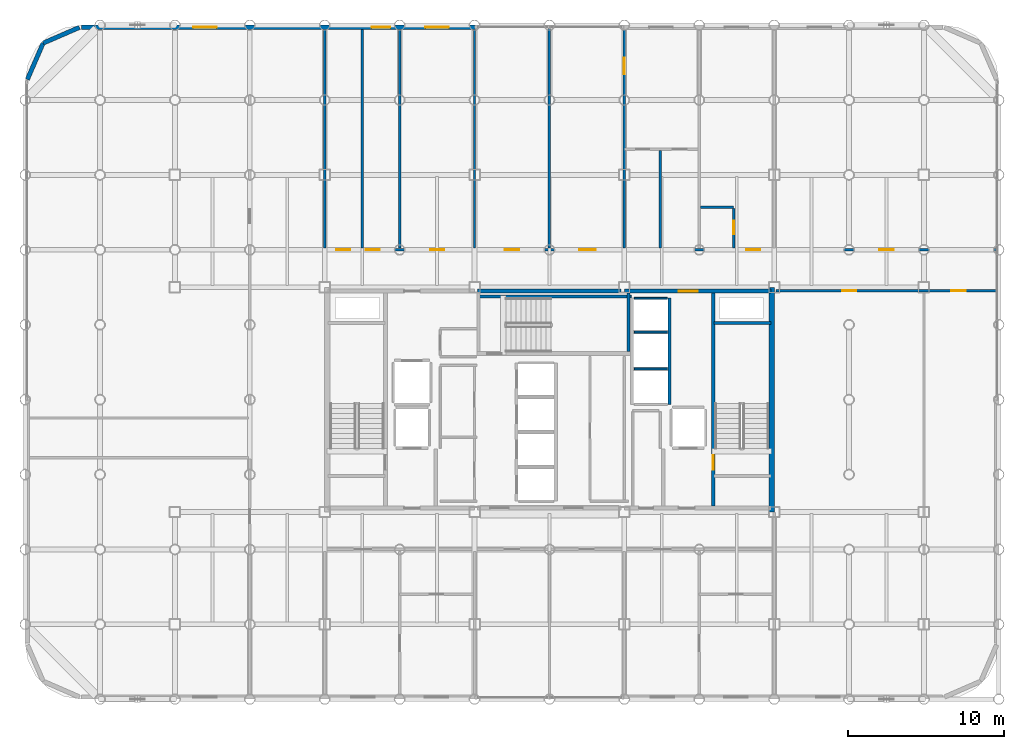
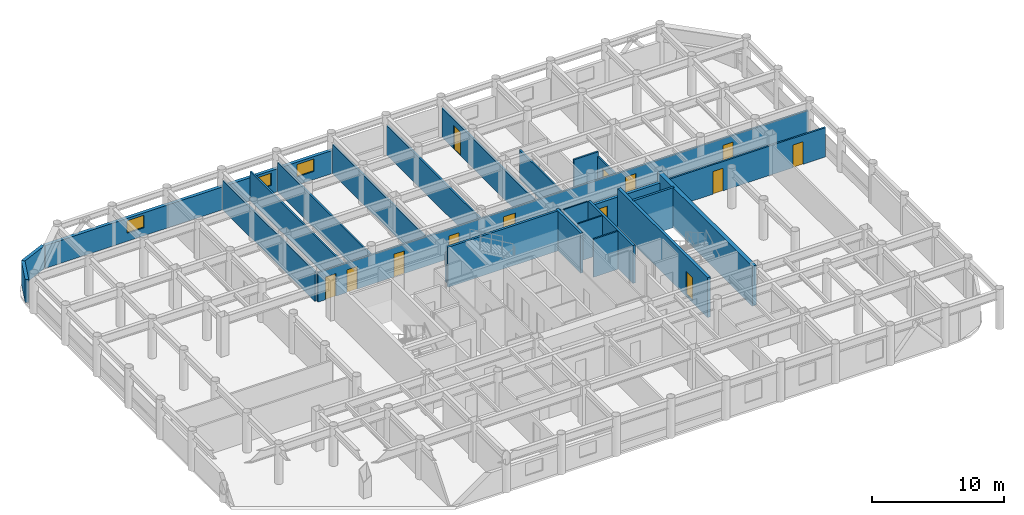
# One storey, part 18 of 20: 25 walls, 13 doors, 3 windows, 16 openings.
"""IFC4 building model written with IfcOpenShell, lengths in metres."""

from ifc_helpers import new_model, si_unit, direction, frame, frame_2d, origin, place, context, subcontext, project, spatial, rectangle, extrude, material, layer, layer_set, type_object, element, fill, save


model = new_model("IFC4")

# Units and contexts
model_context = context("Model", 3, precision=1e-05, world=origin(), true_north=direction((0.0, 1.0)))
body_context = subcontext(model_context, "Body", "Model", "MODEL_VIEW")
ifc_project = project(units=[si_unit("LENGTHUNIT", "METRE"), si_unit("AREAUNIT", "SQUARE_METRE"), si_unit("VOLUMEUNIT", "CUBIC_METRE"), si_unit("PLANEANGLEUNIT", "RADIAN"), si_unit("MASSUNIT", "GRAM", prefix="KILO")], contexts=[model_context])

# Site, building, storey
site_placement = place(None, origin())
site = spatial("IfcSite", under=ifc_project, at=site_placement, CompositionType="ELEMENT")
building_placement = place(site_placement, origin())
building = spatial("IfcBuilding", under=site, at=building_placement, Name="Kallvorn Hotel Tower", CompositionType="ELEMENT")
storey_placement = place(building_placement, frame((0.0, 0.0, 135.89990234375)))
storey = spatial("IfcBuildingStorey", under=building, at=storey_placement, Name="L33", CompositionType="ELEMENT", Elevation=135.89990234375)

# Wall
ifc_material_1 = material(Name="Concrete C50/60", Category="concrete")
ifc_layer_1 = layer(ifc_material_1, 0.35009765625)
ifc_layer_set_1 = layer_set([ifc_layer_1], Name="WL_CORE_350")
wall_type_1 = type_object("IfcWallType", Name="WL_CORE_350", PredefinedType="SHEAR", material=ifc_layer_set_1)
wall_1_placement = place(storey_placement, frame((14.239990234375, -7.199951171875, -0.179931640625), z_axis=(0.0, 0.0, 1.0), x_axis=(0.0, 1.0, 0.0)))
element("IfcWall", 1, at=wall_1_placement, inside=storey, type_object=wall_type_1, Name="L33 Core East Shear Wall", PredefinedType="SHEAR", context=body_context, shape_type="SweptSolid", body=[
    extrude(rectangle(XDim=14.39990234375, YDim=0.35009765625, at=frame_2d((7.199951171875, 0.0))), origin(), (0.0, 0.0, 1.0), 3.699951171875),
])

# Wall, openings, doors
ifc_material_2 = material(Name="Fire-rated double-layer acoustic gypsum drywall EI 60")
ifc_layer_2 = layer(ifc_material_2, 0.159912109375)
ifc_layer_set_2 = layer_set([ifc_layer_2], Name="WL_DEMISE_160")
wall_type_2 = type_object("IfcWallType", Name="WL_DEMISE_160", PredefinedType="PARTITIONING", material=ifc_layer_set_2)
wall_2_placement = place(storey_placement, frame((-14.320068359375, 9.60009765625, 0.0), z_axis=(0.0, 0.0, 1.0), x_axis=(1.0, 0.0, 0.0)))
wall_2 = element("IfcWall", 2, at=wall_2_placement, inside=storey, type_object=wall_type_2, Name="L33 Suite 3303 Junior Living Salon Partition", PredefinedType="PARTITIONING", context=body_context, shape_type="SweptSolid", body=[
    extrude(rectangle(XDim=42.949951171875, YDim=0.159912109375, at=frame_2d((21.47509765625, 0.0))), origin(), (0.0, 0.0, 1.0), 2.72021484375),
])
opening_1_placement = place(wall_2_placement, frame((35.469970703125, 0.0, 0.0)))
opening_1 = element("IfcOpeningElement", 3, at=opening_1_placement, cuts=wall_2, Name="Opening SVD1", PredefinedType="OPENING", context=body_context, shape_type="SweptSolid", body=[
    extrude(rectangle(XDim=0.89990234375, YDim=2.10009765625, at=frame_2d((0.449951171875, 1.050048828125))), frame((0.0, 0.094970703125, 0.0), z_axis=(0.0, -1.0, 0.0), x_axis=(1.0, 0.0, 0.0)), (0.0, 0.0, 1.0), 0.18994140625),
])
opening_2_placement = place(wall_2_placement, frame((0.669921875, 0.0, 0.0)))
opening_2 = element("IfcOpeningElement", 4, at=opening_2_placement, cuts=wall_2, Name="Opening SVD1", PredefinedType="OPENING", context=body_context, shape_type="SweptSolid", body=[
    extrude(rectangle(XDim=0.89990234375, YDim=2.10009765625, at=frame_2d((0.449951171875, 1.050048828125))), frame((0.0, 0.094970703125, 0.0), z_axis=(0.0, -1.0, 0.0), x_axis=(1.0, 0.0, 0.0)), (0.0, 0.0, 1.0), 0.18994140625),
])
opening_3_placement = place(wall_2_placement, frame((2.56005859375, 0.0, 0.0)))
opening_3 = element("IfcOpeningElement", 5, at=opening_3_placement, cuts=wall_2, Name="Opening SVD1", PredefinedType="OPENING", context=body_context, shape_type="SweptSolid", body=[
    extrude(rectangle(XDim=0.89990234375, YDim=2.10009765625, at=frame_2d((0.449951171875, 1.050048828125))), frame((0.0, 0.094970703125, 0.0), z_axis=(0.0, -1.0, 0.0), x_axis=(1.0, 0.0, 0.0)), (0.0, 0.0, 1.0), 0.18994140625),
])
opening_4_placement = place(wall_2_placement, frame((6.669921875, 0.0, 0.0)))
opening_4 = element("IfcOpeningElement", 6, at=opening_4_placement, cuts=wall_2, Name="Opening SVD1", PredefinedType="OPENING", context=body_context, shape_type="SweptSolid", body=[
    extrude(rectangle(XDim=0.89990234375, YDim=2.10009765625, at=frame_2d((0.449951171875, 1.050048828125))), frame((0.0, 0.094970703125, 0.0), z_axis=(0.0, -1.0, 0.0), x_axis=(1.0, 0.0, 0.0)), (0.0, 0.0, 1.0), 0.18994140625),
])
opening_5_placement = place(wall_2_placement, frame((11.469970703125, 0.0, 0.0)))
opening_5 = element("IfcOpeningElement", 7, at=opening_5_placement, cuts=wall_2, Name="Opening SVD1", PredefinedType="OPENING", context=body_context, shape_type="SweptSolid", body=[
    extrude(rectangle(XDim=0.89990234375, YDim=2.10009765625, at=frame_2d((0.449951171875, 1.050048828125))), frame((0.0, 0.094970703125, 0.0), z_axis=(0.0, -1.0, 0.0), x_axis=(1.0, 0.0, 0.0)), (0.0, 0.0, 1.0), 0.18994140625),
])
opening_6_placement = place(wall_2_placement, frame((16.235107421875, 0.0, 0.0)))
opening_6 = element("IfcOpeningElement", 8, at=opening_6_placement, cuts=wall_2, Name="Opening GD2", PredefinedType="OPENING", context=body_context, shape_type="SweptSolid", body=[
    extrude(rectangle(XDim=1.050048828125, YDim=2.199951171875, at=frame_2d((0.52490234375, 1.10009765625))), frame((0.0, 0.094970703125, 0.0), z_axis=(0.0, -1.0, 0.0), x_axis=(1.0, 0.0, 0.0)), (0.0, 0.0, 1.0), 0.18994140625),
])
opening_7_placement = place(wall_2_placement, frame((26.925048828125, 0.0, 0.0)))
opening_7 = element("IfcOpeningElement", 9, at=opening_7_placement, cuts=wall_2, Name="Opening GD1", PredefinedType="OPENING", context=body_context, shape_type="SweptSolid", body=[
    extrude(rectangle(XDim=0.919921875, YDim=2.14990234375, at=frame_2d((0.4599609375, 1.074951171875))), frame((0.0, 0.094970703125, 0.0), z_axis=(0.0, -1.0, 0.0), x_axis=(1.0, 0.0, 0.0)), (0.0, 0.0, 1.0), 0.18994140625),
])
ifc_material_3 = material(Name="Solid-core walnut veneer fire-rated timber door leaf", Category="wood")
door_type_1 = type_object("IfcDoorType", Name="DR_GUEST_920x2150", OperationType="NOTDEFINED", PredefinedType="DOOR", material=ifc_material_3)
door_1_placement = place(opening_7_placement, origin())
door_1 = element("IfcDoor", 10, at=door_1_placement, inside=storey, type_object=door_type_1, Name="L33 Suite 3304 Standard Twin Room Door", OperationType="SINGLE_SWING_LEFT", OverallHeight=2.14990234375, OverallWidth=0.919921875, PredefinedType="DOOR", context=body_context, shape_type="SweptSolid", body=[
    extrude(rectangle(XDim=0.919921875, YDim=2.14990234375, at=frame_2d((0.4599609375, 1.074951171875))), frame((0.0, 0.02490234375, 0.0), z_axis=(0.0, -1.0, 0.0), x_axis=(1.0, 0.0, 0.0)), (0.0, 0.0, 1.0), 0.050048828125),
])
fill(opening_7, door_1)
ifc_material_4 = material(Name="Galvanised painted steel fire-rated door assembly", Category="steel")
door_type_2 = type_object("IfcDoorType", Name="DR_SERV_900x2100", OperationType="NOTDEFINED", PredefinedType="DOOR", material=ifc_material_4)
door_2_placement = place(opening_1_placement, origin())
door_2 = element("IfcDoor", 11, at=door_2_placement, inside=storey, type_object=door_type_2, Name="L33 L33 North-East Monserrate Banquet Hall Door", OperationType="SINGLE_SWING_LEFT", OverallHeight=2.10009765625, OverallWidth=0.89990234375, PredefinedType="DOOR", context=body_context, shape_type="SweptSolid", body=[
    extrude(rectangle(XDim=0.89990234375, YDim=2.10009765625, at=frame_2d((0.449951171875, 1.050048828125))), frame((0.0, 0.02490234375, 0.0), z_axis=(0.0, -1.0, 0.0), x_axis=(1.0, 0.0, 0.0)), (0.0, 0.0, 1.0), 0.050048828125),
])
fill(opening_1, door_2)
door_3_placement = place(opening_2_placement, origin())
door_3 = element("IfcDoor", 12, at=door_3_placement, inside=storey, type_object=door_type_2, Name="L33 Housekeeping and Linen Room Door", OperationType="SINGLE_SWING_LEFT", OverallHeight=2.10009765625, OverallWidth=0.89990234375, PredefinedType="DOOR", context=body_context, shape_type="SweptSolid", body=[
    extrude(rectangle(XDim=0.89990234375, YDim=2.10009765625, at=frame_2d((0.449951171875, 1.050048828125))), frame((0.0, 0.02490234375, 0.0), z_axis=(0.0, -1.0, 0.0), x_axis=(1.0, 0.0, 0.0)), (0.0, 0.0, 1.0), 0.050048828125),
])
fill(opening_2, door_3)
door_4_placement = place(opening_3_placement, origin())
door_4 = element("IfcDoor", 13, at=door_4_placement, inside=storey, type_object=door_type_2, Name="L33 Guest Tea and Refreshment Bar Door", OperationType="SINGLE_SWING_RIGHT", OverallHeight=2.10009765625, OverallWidth=0.89990234375, PredefinedType="DOOR", context=body_context, shape_type="SweptSolid", body=[
    extrude(rectangle(XDim=0.89990234375, YDim=2.10009765625, at=frame_2d((0.449951171875, 1.050048828125))), frame((0.0, 0.02490234375, 0.0), z_axis=(0.0, -1.0, 0.0), x_axis=(1.0, 0.0, 0.0)), (0.0, 0.0, 1.0), 0.050048828125),
])
fill(opening_3, door_4)
door_5_placement = place(opening_4_placement, origin())
door_5 = element("IfcDoor", 14, at=door_5_placement, inside=storey, type_object=door_type_2, Name="L33 L33 Diplomatic Summit Conference Boardroom 2-1 Door", OperationType="SINGLE_SWING_LEFT", OverallHeight=2.10009765625, OverallWidth=0.89990234375, PredefinedType="DOOR", context=body_context, shape_type="SweptSolid", body=[
    extrude(rectangle(XDim=0.89990234375, YDim=2.10009765625, at=frame_2d((0.449951171875, 1.050048828125))), frame((0.0, 0.02490234375, 0.0), z_axis=(0.0, -1.0, 0.0), x_axis=(1.0, 0.0, 0.0)), (0.0, 0.0, 1.0), 0.050048828125),
])
fill(opening_4, door_5)
door_6_placement = place(opening_5_placement, origin())
door_6 = element("IfcDoor", 15, at=door_6_placement, inside=storey, type_object=door_type_2, Name="L33 L33 Diplomatic Summit Conference Boardroom 2-2 Door", OperationType="SINGLE_SWING_RIGHT", OverallHeight=2.10009765625, OverallWidth=0.89990234375, PredefinedType="DOOR", context=body_context, shape_type="SweptSolid", body=[
    extrude(rectangle(XDim=0.89990234375, YDim=2.10009765625, at=frame_2d((0.449951171875, 1.050048828125))), frame((0.0, 0.02490234375, 0.0), z_axis=(0.0, -1.0, 0.0), x_axis=(1.0, 0.0, 0.0)), (0.0, 0.0, 1.0), 0.050048828125),
])
fill(opening_5, door_6)
ifc_material_5 = material(Name="Solid-core walnut veneer fire-rated timber door leaf", Category="wood")
door_type_3 = type_object("IfcDoorType", Name="DR_SUITE_1050x2200", OperationType="NOTDEFINED", PredefinedType="DOOR", material=ifc_material_5)
door_7_placement = place(opening_6_placement, origin())
door_7 = element("IfcDoor", 16, at=door_7_placement, inside=storey, type_object=door_type_3, Name="L33 Suite 3303 Junior Living Salon Door", OperationType="SINGLE_SWING_LEFT", OverallHeight=2.199951171875, OverallWidth=1.050048828125, PredefinedType="DOOR", context=body_context, shape_type="SweptSolid", body=[
    extrude(rectangle(XDim=1.050048828125, YDim=2.199951171875, at=frame_2d((0.52490234375, 1.10009765625))), frame((0.0, 0.02490234375, 0.0), z_axis=(0.0, -1.0, 0.0), x_axis=(1.0, 0.0, 0.0)), (0.0, 0.0, 1.0), 0.050048828125),
])
fill(opening_6, door_7)

# Walls
wall_3_placement = place(storey_placement, frame((9.679931640625, 12.320068359375, 0.0), z_axis=(0.0, 0.0, 1.0), x_axis=(1.0, 0.0, 0.0)))
element("IfcWall", 17, at=wall_3_placement, inside=storey, type_object=wall_type_2, Name="L33 Suite 3304 Standard Twin Room Partition", PredefinedType="PARTITIONING", context=body_context, shape_type="SweptSolid", body=[
    extrude(rectangle(XDim=2.130126953125, YDim=0.159912109375, at=frame_2d((1.06494140625, 0.0))), origin(), (0.0, 0.0, 1.0), 3.1201171875),
])
wall_4_placement = place(storey_placement, frame((0.0, 9.719970703125, 0.0), z_axis=(0.0, 0.0, 1.0), x_axis=(0.0, 1.0, 0.0)))
element("IfcWall", 18, at=wall_4_placement, inside=storey, type_object=wall_type_2, Name="L33 Suite 3303 Junior Living Salon Partition", PredefinedType="PARTITIONING", context=body_context, shape_type="SweptSolid", body=[
    extrude(rectangle(XDim=14.074951171875, YDim=0.159912109375, at=frame_2d((7.03759765625, 0.0))), origin(), (0.0, 0.0, 1.0), 2.72021484375),
])

# Wall, opening, door
wall_5_placement = place(storey_placement, frame((4.800048828125, 9.719970703125, 0.0), z_axis=(0.0, 0.0, 1.0), x_axis=(0.0, 1.0, 0.0)))
wall_5 = element("IfcWall", 19, at=wall_5_placement, inside=storey, type_object=wall_type_2, Name="L33 Suite 3303 Junior Living Salon Partition", PredefinedType="PARTITIONING", context=body_context, shape_type="SweptSolid", body=[
    extrude(rectangle(XDim=13.989990234375, YDim=0.159912109375, at=frame_2d((6.9951171875, 0.0))), origin(), (0.0, 0.0, 1.0), 2.72021484375),
])
opening_8_placement = place(wall_5_placement, frame((11.136962890625, 0.0, 0.0)))
opening_8 = element("IfcOpeningElement", 20, at=opening_8_placement, cuts=wall_5, Name="Opening GD2", PredefinedType="OPENING", context=body_context, shape_type="SweptSolid", body=[
    extrude(rectangle(XDim=1.050048828125, YDim=2.199951171875, at=frame_2d((0.52490234375, 1.10009765625))), frame((0.0, 0.094970703125, 0.0), z_axis=(0.0, -1.0, 0.0), x_axis=(1.0, 0.0, 0.0)), (0.0, 0.0, 1.0), 0.18994140625),
])
door_8_placement = place(opening_8_placement, origin())
door_8 = element("IfcDoor", 21, at=door_8_placement, inside=storey, type_object=door_type_3, Name="L33 Suite 3303 Junior Bedroom Door", OperationType="SINGLE_SWING_RIGHT", OverallHeight=2.199951171875, OverallWidth=1.050048828125, PredefinedType="DOOR", context=body_context, shape_type="SweptSolid", body=[
    extrude(rectangle(XDim=1.050048828125, YDim=2.199951171875, at=frame_2d((0.52490234375, 1.10009765625))), frame((0.0, 0.02490234375, 0.0), z_axis=(0.0, -1.0, 0.0), x_axis=(1.0, 0.0, 0.0)), (0.0, 0.0, 1.0), 0.050048828125),
])
fill(opening_8, door_8)

wall_6_placement = place(storey_placement, frame((11.81005859375, 9.719970703125, 0.0), z_axis=(0.0, 0.0, 1.0), x_axis=(0.0, 1.0, 0.0)))
wall_6 = element("IfcWall", 22, at=wall_6_placement, inside=storey, type_object=wall_type_2, Name="L33 Suite 3304 Standard Twin Room Partition", PredefinedType="PARTITIONING", context=body_context, shape_type="SweptSolid", body=[
    extrude(rectangle(XDim=2.51513671875, YDim=0.159912109375, at=frame_2d((1.257568359375, 0.0))), origin(), (0.0, 0.0, 1.0), 2.72021484375),
])
opening_9_placement = place(wall_6_placement, frame((0.8701171875, 0.0, 0.0)))
opening_9 = element("IfcOpeningElement", 23, at=opening_9_placement, cuts=wall_6, Name="Opening BD-I", PredefinedType="OPENING", context=body_context, shape_type="SweptSolid", body=[
    extrude(rectangle(XDim=0.860107421875, YDim=2.10009765625, at=frame_2d((0.43017578125, 1.050048828125))), frame((0.0, 0.094970703125, 0.0), z_axis=(0.0, -1.0, 0.0), x_axis=(1.0, 0.0, 0.0)), (0.0, 0.0, 1.0), 0.18994140625),
])
ifc_material_6 = material(Name="Solid-core walnut veneer fire-rated timber door leaf", Category="wood")
door_type_4 = type_object("IfcDoorType", Name="DR_BATH_860x2100", OperationType="NOTDEFINED", PredefinedType="DOOR", material=ifc_material_6)
door_9_placement = place(opening_9_placement, origin())
door_9 = element("IfcDoor", 24, at=door_9_placement, inside=storey, type_object=door_type_4, Name="L33 Suite 3304 En-Suite Bathroom Door", OperationType="SINGLE_SWING_RIGHT", OverallHeight=2.10009765625, OverallWidth=0.860107421875, PredefinedType="DOOR", context=body_context, shape_type="SweptSolid", body=[
    extrude(rectangle(XDim=0.860107421875, YDim=2.10009765625, at=frame_2d((0.43017578125, 1.050048828125))), frame((0.0, 0.02490234375, 0.0), z_axis=(0.0, -1.0, 0.0), x_axis=(1.0, 0.0, 0.0)), (0.0, 0.0, 1.0), 0.050048828125),
])
fill(opening_9, door_9)

# Walls
ifc_material_7 = material(Name="Precast basalt-clad insulated concrete wall C40/50", Category="masonry")
ifc_layer_3 = layer(ifc_material_7, 0.280029296875)
ifc_layer_set_3 = layer_set([ifc_layer_3], Name="WL_EXT_LOGGIA_280")
wall_type_3 = type_object("IfcWallType", Name="WL_EXT_LOGGIA_280", PredefinedType="SOLIDWALL", material=ifc_layer_set_3)
wall_7_placement = place(storey_placement, frame((-30.120849609375, 23.85791015625, 0.0), z_axis=(0.0, 0.0, 1.0), x_axis=(-0.917060872934, -0.398747232384, 0.0)))
element("IfcWall", 25, at=wall_7_placement, inside=storey, type_object=wall_type_3, Name="L33 Rounded Corner Exterior Wall NW1", PredefinedType="SOLIDWALL", context=body_context, shape_type="SweptSolid", body=[
    extrude(rectangle(XDim=2.5361328125, YDim=0.280029296875, at=frame_2d((1.26806640625, 0.0))), origin(), (0.0, 0.0, 1.0), 2.1201171875),
])
wall_8_placement = place(storey_placement, frame((-32.446533203125, 22.8466796875, 0.0), z_axis=(0.0, 0.0, 1.0), x_axis=(-0.398792985289, -0.917040977756, 0.0)))
element("IfcWall", 26, at=wall_8_placement, inside=storey, type_object=wall_type_3, Name="L33 Rounded Corner Exterior Wall NW2", PredefinedType="SOLIDWALL", context=body_context, shape_type="SweptSolid", body=[
    extrude(rectangle(XDim=2.536376953125, YDim=0.280029296875, at=frame_2d((1.26806640625, 0.0))), origin(), (0.0, 0.0, 1.0), 2.1201171875),
])

# Wall, openings, windows
wall_9_placement = place(storey_placement, frame((-30.0, 23.860107421875, 0.0), z_axis=(0.0, 0.0, 1.0), x_axis=(1.0, 0.0, 0.0)))
wall_9 = element("IfcWall", 27, at=wall_9_placement, inside=storey, type_object=wall_type_3, Name="L33 Exterior Envelope Wall EW-L33-NW", PredefinedType="SOLIDWALL", context=body_context, shape_type="SweptSolid", body=[
    extrude(rectangle(XDim=25.25, YDim=0.280029296875, at=frame_2d((12.625, 0.0))), origin(), (0.0, 0.0, 1.0), 2.1201171875),
])
opening_10_placement = place(wall_9_placement, frame((7.1630859375, 0.0, 0.75)))
opening_10 = element("IfcOpeningElement", 28, at=opening_10_placement, cuts=wall_9, Name="Opening W05A", PredefinedType="OPENING", context=body_context, shape_type="SweptSolid", body=[
    extrude(rectangle(XDim=1.5, YDim=1.14990234375, at=frame_2d((0.75, 0.574951171875))), frame((0.0, 0.155029296875, 0.0), z_axis=(0.0, -1.0, 0.0), x_axis=(1.0, 0.0, 0.0)), (0.0, 0.0, 1.0), 0.31005859375),
])
opening_11_placement = place(wall_9_placement, frame((18.60009765625, 0.0, 0.75)))
opening_11 = element("IfcOpeningElement", 29, at=opening_11_placement, cuts=wall_9, Name="Opening W06A", PredefinedType="OPENING", context=body_context, shape_type="SweptSolid", body=[
    extrude(rectangle(XDim=1.199951171875, YDim=1.14990234375, at=frame_2d((0.60009765625, 0.574951171875))), frame((0.0, 0.155029296875, 0.0), z_axis=(0.0, -1.0, 0.0), x_axis=(1.0, 0.0, 0.0)), (0.0, 0.0, 1.0), 0.31005859375),
])
opening_12_placement = place(wall_9_placement, frame((22.050048828125, 0.0, 0.75)))
opening_12 = element("IfcOpeningElement", 30, at=opening_12_placement, cuts=wall_9, Name="Opening W05A", PredefinedType="OPENING", context=body_context, shape_type="SweptSolid", body=[
    extrude(rectangle(XDim=1.5, YDim=1.14990234375, at=frame_2d((0.75, 0.574951171875))), frame((0.0, 0.155029296875, 0.0), z_axis=(0.0, -1.0, 0.0), x_axis=(1.0, 0.0, 0.0)), (0.0, 0.0, 1.0), 0.31005859375),
])
ifc_material_8 = material(Name="Triple-glazed low-e acoustic solar-control dark glass", Category="glass")
window_type_1 = type_object("IfcWindowType", Name="WN_HTL_1200x1150", PartitioningType="SINGLE_PANEL", PredefinedType="WINDOW", material=ifc_material_8)
window_1_placement = place(opening_11_placement, origin())
window_1 = element("IfcWindow", 31, at=window_1_placement, inside=storey, type_object=window_type_1, Name="L33 Guestroom Exterior Window 09", OverallHeight=1.14990234375, OverallWidth=1.199951171875, PartitioningType="SINGLE_PANEL", PredefinedType="WINDOW", context=body_context, shape_type="SweptSolid", body=[
    extrude(rectangle(XDim=1.199951171875, YDim=1.14990234375, at=frame_2d((0.60009765625, 0.574951171875))), frame((0.0, 0.030029296875, 0.0), z_axis=(0.0, -1.0, 0.0), x_axis=(1.0, 0.0, 0.0)), (0.0, 0.0, 1.0), 0.06005859375),
])
fill(opening_11, window_1)
ifc_material_9 = material(Name="Double-glazed low-e solar-control dark glass", Category="glass")
window_type_2 = type_object("IfcWindowType", Name="WN_HTL_1500x1150", PartitioningType="SINGLE_PANEL", PredefinedType="WINDOW", material=ifc_material_9)
window_2_placement = place(opening_10_placement, origin())
window_2 = element("IfcWindow", 32, at=window_2_placement, inside=storey, type_object=window_type_2, Name="L33 Guestroom Exterior Window 02", OverallHeight=1.14990234375, OverallWidth=1.5, PartitioningType="SINGLE_PANEL", PredefinedType="WINDOW", context=body_context, shape_type="SweptSolid", body=[
    extrude(rectangle(XDim=1.5, YDim=1.14990234375, at=frame_2d((0.75, 0.574951171875))), frame((0.0, 0.030029296875, 0.0), z_axis=(0.0, -1.0, 0.0), x_axis=(1.0, 0.0, 0.0)), (0.0, 0.0, 1.0), 0.06005859375),
])
fill(opening_10, window_2)
window_3_placement = place(opening_12_placement, origin())
window_3 = element("IfcWindow", 33, at=window_3_placement, inside=storey, type_object=window_type_2, Name="L33 Guestroom Exterior Window 10", OverallHeight=1.14990234375, OverallWidth=1.5, PartitioningType="SINGLE_PANEL", PredefinedType="WINDOW", context=body_context, shape_type="SweptSolid", body=[
    extrude(rectangle(XDim=1.5, YDim=1.14990234375, at=frame_2d((0.75, 0.574951171875))), frame((0.0, 0.030029296875, 0.0), z_axis=(0.0, -1.0, 0.0), x_axis=(1.0, 0.0, 0.0)), (0.0, 0.0, 1.0), 0.06005859375),
])
fill(opening_12, window_3)

# Walls
ifc_material_10 = material(Name="Concrete C40/50", Category="concrete")
ifc_layer_4 = layer(ifc_material_10, 0.199951171875)
ifc_layer_set_4 = layer_set([ifc_layer_4], Name="WL_HOIST_200")
wall_type_4 = type_object("IfcWallType", Name="WL_HOIST_200", PredefinedType="SOLIDWALL", material=ifc_layer_set_4)
wall_10_placement = place(storey_placement, frame((10.550048828125, 4.89990234375, -0.179931640625), z_axis=(0.0, 0.0, 1.0), x_axis=(1.0, 0.0, 0.0)))
element("IfcWall", 34, at=wall_10_placement, inside=storey, type_object=wall_type_4, Name="L33 Stair ST2 North Wall", PredefinedType="SOLIDWALL", context=body_context, shape_type="SweptSolid", body=[
    extrude(rectangle(XDim=3.64990234375, YDim=0.199951171875, at=frame_2d((1.824951171875, 0.0))), origin(), (0.0, 0.0, 1.0), 3.699951171875),
])
wall_11_placement = place(storey_placement, frame((-4.64990234375, 6.610107421875, -0.179931640625), z_axis=(0.0, 0.0, 1.0), x_axis=(1.0, 0.0, 0.0)))
element("IfcWall", 35, at=wall_11_placement, inside=storey, type_object=wall_type_4, Name="L33 Stair ST3 Shaft North Wall", PredefinedType="SOLIDWALL", context=body_context, shape_type="SweptSolid", body=[
    extrude(rectangle(XDim=9.89990234375, YDim=0.199951171875, at=frame_2d((4.949951171875, 0.0))), origin(), (0.0, 0.0, 1.0), 3.699951171875),
])
wall_12_placement = place(storey_placement, frame((5.06005859375, 3.080078125, -0.179931640625), z_axis=(0.0, 0.0, 1.0), x_axis=(0.0, 1.0, 0.0)))
element("IfcWall", 36, at=wall_12_placement, inside=storey, type_object=wall_type_4, Name="L33 Stair ST3 East Wall", PredefinedType="SOLIDWALL", context=body_context, shape_type="SweptSolid", body=[
    extrude(rectangle(XDim=3.739990234375, YDim=0.199951171875, at=frame_2d((1.8701171875, 0.0))), origin(), (0.0, 0.0, 1.0), 3.699951171875),
])
wall_13_placement = place(storey_placement, frame((7.699951171875, -0.300048828125, 0.0), z_axis=(0.0, 0.0, 1.0), x_axis=(0.0, 1.0, 0.0)))
element("IfcWall", 37, at=wall_13_placement, inside=storey, type_object=wall_type_4, Name="L33 Lift Bank OBS Landing Wall", PredefinedType="SOLIDWALL", context=body_context, shape_type="SweptSolid", body=[
    extrude(rectangle(XDim=6.800048828125, YDim=0.199951171875, at=frame_2d((3.39990234375, 0.0))), origin(), (0.0, 0.0, 1.0), 3.52001953125),
])
ifc_material_11 = material(Name="Fire-rated double-layer acoustic gypsum drywall EI 60")
ifc_layer_5 = layer(ifc_material_11, 0.1201171875)
ifc_layer_set_5 = layer_set([ifc_layer_5], Name="WL_INT_120")
wall_type_5 = type_object("IfcWallType", Name="WL_INT_120", PredefinedType="PARTITIONING", material=ifc_layer_set_5)
for number, where, z_axis, x_axis, name in (
    (38, (5.43994140625, 1.97509765625, 0.0), (0.0, 0.0, 1.0), (1.0, 0.0, 0.0), "L33 OB-01 Hoistway Divider"),
    (39, (5.43994140625, 4.324951171875, 0.0), (0.0, 0.0, 1.0), (1.0, 0.0, 0.0), "L33 OB-02 Hoistway Divider"),
    (40, (5.43994140625, 6.5, 0.0), (0.0, 0.0, 1.0), (1.0, 0.0, 0.0), "L33 OB-03 Hoistway Divider"),
):
    element("IfcWall", number, at=place(storey_placement, frame(where, z_axis=z_axis, x_axis=x_axis)), inside=storey, type_object=wall_type_5, Name=name, PredefinedType="PARTITIONING", context=body_context, shape_type="SweptSolid", body=[
        extrude(rectangle(XDim=2.1201171875, YDim=0.1201171875, at=frame_2d((1.06005859375, 0.0))), origin(), (0.0, 0.0, 1.0), 3.52001953125),
    ])

# Wall, openings, doors
ifc_material_12 = material(Name="Fire-rated double-layer acoustic gypsum drywall EI 60")
ifc_layer_6 = layer(ifc_material_12, 0.14990234375)
ifc_layer_set_6 = layer_set([ifc_layer_6], Name="WL_PART_150")
wall_type_6 = type_object("IfcWallType", Name="WL_PART_150", PredefinedType="PARTITIONING", material=ifc_layer_set_6)
wall_14_placement = place(storey_placement, frame((14.52001953125, 6.97998046875, 0.0), z_axis=(0.0, 0.0, 1.0), x_axis=(1.0, 0.0, 0.0)))
wall_14 = element("IfcWall", 41, at=wall_14_placement, inside=storey, type_object=wall_type_6, Name="L33 L33 South-East Cocktail Bar Partition", PredefinedType="PARTITIONING", context=body_context, shape_type="SweptSolid", body=[
    extrude(rectangle(XDim=14.10986328125, YDim=0.14990234375, at=frame_2d((7.054931640625, 0.0))), origin(), (0.0, 0.0, 1.0), 2.72021484375),
])
opening_13_placement = place(wall_14_placement, frame((4.22998046875, 0.0, 0.0)))
opening_13 = element("IfcOpeningElement", 42, at=opening_13_placement, cuts=wall_14, Name="Opening SVD1", PredefinedType="OPENING", context=body_context, shape_type="SweptSolid", body=[
    extrude(rectangle(XDim=0.89990234375, YDim=2.10009765625, at=frame_2d((0.449951171875, 1.050048828125))), frame((0.0, 0.08984375, 0.0), z_axis=(0.0, -1.0, 0.0), x_axis=(1.0, 0.0, 0.0)), (0.0, 0.0, 1.0), 0.179931640625),
])
opening_14_placement = place(wall_14_placement, frame((11.2451171875, 0.0, 0.0)))
opening_14 = element("IfcOpeningElement", 43, at=opening_14_placement, cuts=wall_14, Name="Opening SVD1", PredefinedType="OPENING", context=body_context, shape_type="SweptSolid", body=[
    extrude(rectangle(XDim=0.89990234375, YDim=2.10009765625, at=frame_2d((0.449951171875, 1.050048828125))), frame((0.0, 0.08984375, 0.0), z_axis=(0.0, -1.0, 0.0), x_axis=(1.0, 0.0, 0.0)), (0.0, 0.0, 1.0), 0.179931640625),
])
door_10_placement = place(opening_13_placement, origin())
door_10 = element("IfcDoor", 44, at=door_10_placement, inside=storey, type_object=door_type_2, Name="L33 L33 South-East Cocktail Bar Door", OperationType="SINGLE_SWING_RIGHT", OverallHeight=2.10009765625, OverallWidth=0.89990234375, PredefinedType="DOOR", context=body_context, shape_type="SweptSolid", body=[
    extrude(rectangle(XDim=0.89990234375, YDim=2.10009765625, at=frame_2d((0.449951171875, 1.050048828125))), frame((0.0, 0.02490234375, 0.0), z_axis=(0.0, -1.0, 0.0), x_axis=(1.0, 0.0, 0.0)), (0.0, 0.0, 1.0), 0.050048828125),
])
fill(opening_13, door_10)
door_11_placement = place(opening_14_placement, origin())
door_11 = element("IfcDoor", 45, at=door_11_placement, inside=storey, type_object=door_type_2, Name="L33 L33 Far-East Design Boutique Door", OperationType="SINGLE_SWING_LEFT", OverallHeight=2.10009765625, OverallWidth=0.89990234375, PredefinedType="DOOR", context=body_context, shape_type="SweptSolid", body=[
    extrude(rectangle(XDim=0.89990234375, YDim=2.10009765625, at=frame_2d((0.449951171875, 1.050048828125))), frame((0.0, 0.02490234375, 0.0), z_axis=(0.0, -1.0, 0.0), x_axis=(1.0, 0.0, 0.0)), (0.0, 0.0, 1.0), 0.050048828125),
])
fill(opening_14, door_11)

# Walls
for number, where, z_axis, x_axis, name in (
    (46, (-14.39990234375, 9.719970703125, 0.0), (0.0, 0.0, 1.0), (0.0, 1.0, 0.0), "L33 Housekeeping and Linen Room Partition"),
    (47, (-12.0, 9.719970703125, 0.0), (0.0, 0.0, 1.0), (0.0, 1.0, 0.0), "L33 Guest Tea and Refreshment Bar Partition"),
    (48, (-9.60009765625, 9.719970703125, 0.0), (0.0, 0.0, 1.0), (0.0, 1.0, 0.0), "L33 Guest Tea and Refreshment Bar Partition"),
    (49, (-4.800048828125, 9.719970703125, 0.0), (0.0, 0.0, 1.0), (0.0, 1.0, 0.0), "L33 L33 Diplomatic Summit Conference Boardroom 2-1 Partition"),
):
    element("IfcWall", number, at=place(storey_placement, frame(where, z_axis=z_axis, x_axis=x_axis)), inside=storey, type_object=wall_type_6, Name=name, PredefinedType="PARTITIONING", context=body_context, shape_type="SweptSolid", body=[
        extrude(rectangle(XDim=13.989990234375, YDim=0.14990234375, at=frame_2d((6.9951171875, 0.0))), origin(), (0.0, 0.0, 1.0), 2.72021484375),
    ])
wall_15_placement = place(storey_placement, frame((7.106689453125, 9.719970703125, 0.0), z_axis=(0.0, 0.0, 1.0), x_axis=(0.0, 1.0, 0.0)))
element("IfcWall", 50, at=wall_15_placement, inside=storey, type_object=wall_type_6, Name="L33 Suite 3303 Walk-In Dressing Closet Partition", PredefinedType="PARTITIONING", context=body_context, shape_type="SweptSolid", body=[
    extrude(rectangle(XDim=6.2451171875, YDim=0.14990234375, at=frame_2d((3.12255859375, 0.0))), origin(), (0.0, 0.0, 1.0), 2.72021484375),
])
ifc_material_13 = material(Name="Concrete C40/50", Category="concrete")
ifc_layer_7 = layer(ifc_material_13, 0.25)
ifc_layer_set_7 = layer_set([ifc_layer_7], Name="WL_SHAFT_250")
wall_type_7 = type_object("IfcWallType", Name="WL_SHAFT_250", PredefinedType="SOLIDWALL", material=ifc_layer_set_7)
wall_16_placement = place(storey_placement, frame((-4.60009765625, 6.949951171875, 0.0), z_axis=(0.0, 0.0, 1.0), x_axis=(1.0, 0.0, 0.0)))
element("IfcWall", 51, at=wall_16_placement, inside=storey, type_object=wall_type_7, Name="L33 Core North-Central Wall", PredefinedType="SOLIDWALL", context=body_context, shape_type="SweptSolid", body=[
    extrude(rectangle(XDim=9.2001953125, YDim=0.25, at=frame_2d((4.60009765625, 0.0))), origin(), (0.0, 0.0, 1.0), 2.72021484375),
])

# Wall, opening, door
wall_17_placement = place(storey_placement, frame((4.800048828125, 6.949951171875, 0.0), z_axis=(0.0, 0.0, 1.0), x_axis=(1.0, 0.0, 0.0)))
wall_17 = element("IfcWall", 52, at=wall_17_placement, inside=storey, type_object=wall_type_7, Name="L33 Core North-East Wall", PredefinedType="SOLIDWALL", context=body_context, shape_type="SweptSolid", body=[
    extrude(rectangle(XDim=9.39990234375, YDim=0.25, at=frame_2d((4.699951171875, 0.0))), origin(), (0.0, 0.0, 1.0), 2.72021484375),
])
opening_15_placement = place(wall_17_placement, frame((3.5, 0.0, 0.0)))
opening_15 = element("IfcOpeningElement", 53, at=opening_15_placement, cuts=wall_17, Name="Opening FD2", PredefinedType="OPENING", context=body_context, shape_type="SweptSolid", body=[
    extrude(rectangle(XDim=1.199951171875, YDim=2.199951171875, at=frame_2d((0.60009765625, 1.10009765625))), frame((0.0, 0.139892578125, 0.0), z_axis=(0.0, -1.0, 0.0), x_axis=(1.0, 0.0, 0.0)), (0.0, 0.0, 1.0), 0.280029296875),
])
ifc_material_14 = material(Name="Galvanised painted steel fire-rated door assembly", Category="steel")
door_type_5 = type_object("IfcDoorType", Name="DR_LOBBY_1200x2200", OperationType="DOUBLE_DOOR_SINGLE_SWING", PredefinedType="DOOR", material=ifc_material_14)
door_12_placement = place(opening_15_placement, origin())
door_12 = element("IfcDoor", 54, at=door_12_placement, inside=storey, type_object=door_type_5, Name="L33 Observatory Shuttle Lobby Door", OperationType="DOUBLE_DOOR_SINGLE_SWING", OverallHeight=2.199951171875, OverallWidth=1.199951171875, PredefinedType="DOOR", context=body_context, shape_type="SweptSolid", body=[
    extrude(rectangle(XDim=1.199951171875, YDim=2.199951171875, at=frame_2d((0.60009765625, 1.10009765625))), frame((0.0, 0.02490234375, 0.0), z_axis=(0.0, -1.0, 0.0), x_axis=(1.0, 0.0, 0.0)), (0.0, 0.0, 1.0), 0.050048828125),
])
fill(opening_15, door_12)

wall_18_placement = place(storey_placement, frame((10.5, -6.820068359375, -0.179931640625), z_axis=(0.0, 0.0, 1.0), x_axis=(0.0, 1.0, 0.0)))
wall_18 = element("IfcWall", 55, at=wall_18_placement, inside=storey, type_object=wall_type_7, Name="L33 Stair ST2 Shaft Wall", PredefinedType="SOLIDWALL", context=body_context, shape_type="SweptSolid", body=[
    extrude(rectangle(XDim=13.64013671875, YDim=0.25, at=frame_2d((6.820068359375, 0.0))), origin(), (0.0, 0.0, 1.0), 3.699951171875),
])
opening_16_placement = place(wall_18_placement, frame((2.320068359375, 0.0, 0.179931640625)))
opening_16 = element("IfcOpeningElement", 56, at=opening_16_placement, cuts=wall_18, Name="Opening SD1", PredefinedType="OPENING", context=body_context, shape_type="SweptSolid", body=[
    extrude(rectangle(XDim=0.949951171875, YDim=2.14990234375, at=frame_2d((0.47509765625, 1.074951171875))), frame((0.0, 0.139892578125, 0.0), z_axis=(0.0, -1.0, 0.0), x_axis=(1.0, 0.0, 0.0)), (0.0, 0.0, 1.0), 0.280029296875),
])
ifc_material_15 = material(Name="Galvanised painted steel fire-rated door assembly", Category="steel")
door_type_6 = type_object("IfcDoorType", Name="DR_STAIR_950x2150", OperationType="NOTDEFINED", PredefinedType="DOOR", material=ifc_material_15)
door_13_placement = place(opening_16_placement, origin())
door_13 = element("IfcDoor", 57, at=door_13_placement, inside=storey, type_object=door_type_6, Name="L33 Exit Stair ST2 Fire Door", OperationType="SINGLE_SWING_RIGHT", OverallHeight=2.14990234375, OverallWidth=0.949951171875, PredefinedType="DOOR", context=body_context, shape_type="SweptSolid", body=[
    extrude(rectangle(XDim=0.949951171875, YDim=2.14990234375, at=frame_2d((0.47509765625, 1.074951171875))), frame((0.0, 0.02490234375, 0.0), z_axis=(0.0, -1.0, 0.0), x_axis=(1.0, 0.0, 0.0)), (0.0, 0.0, 1.0), 0.050048828125),
])
fill(opening_16, door_13)

save(model, "model.ifc")
